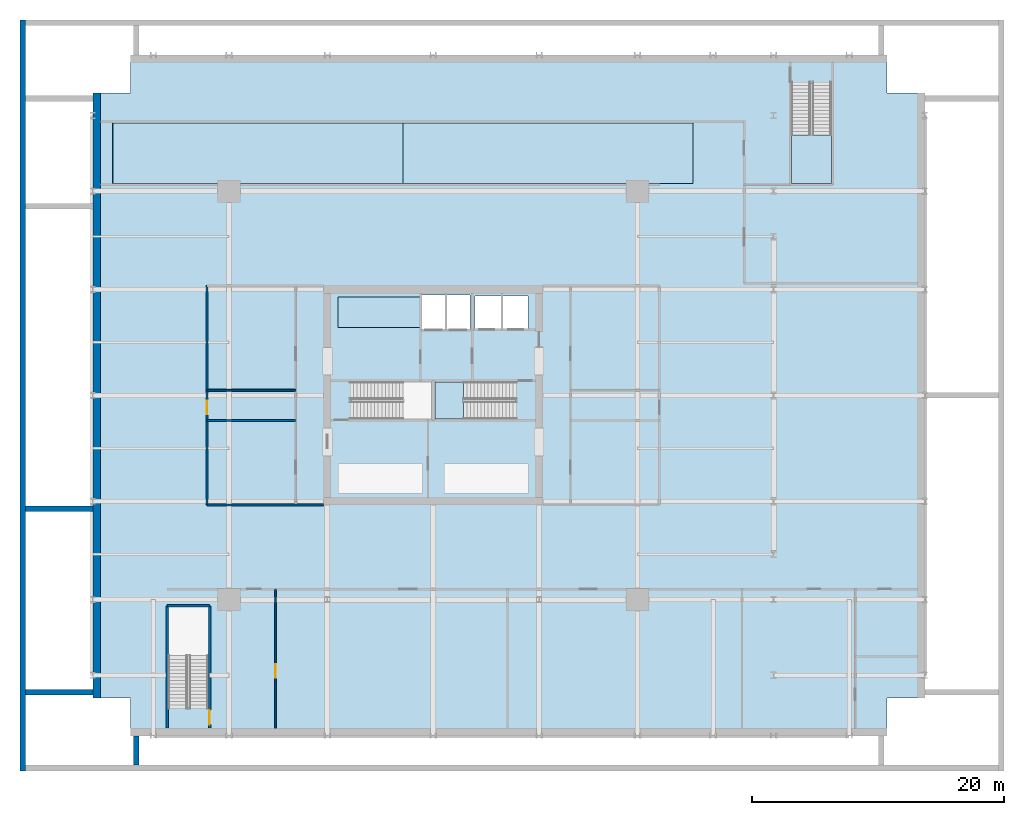
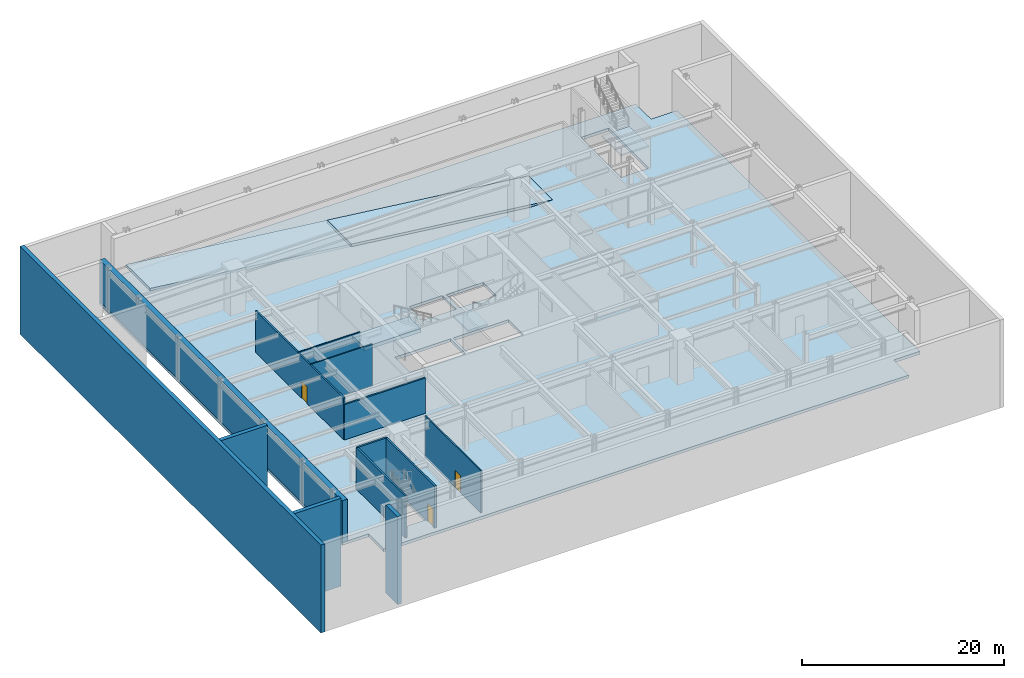
# One storey, part 2 of 9: 13 walls, 6 slabs, 3 doors, 3 openings, 2 elements without a shape of their own.
"""IFC4 building model written with IfcOpenShell, lengths in metres."""

from ifc_helpers import new_model, si_unit, direction, frame, frame_2d, origin, place, context, subcontext, project, spatial, polyline, rectangle, outline, extrude, material, layer, layer_set, type_object, element, fill, aggregate, save


model = new_model("IFC4")

# Units and contexts
model_context = context("Model", 3, precision=1e-05, world=origin(), true_north=direction((0.0, 1.0)))
body_context = subcontext(model_context, "Body", "Model", "MODEL_VIEW")
ifc_project = project(units=[si_unit("LENGTHUNIT", "METRE"), si_unit("AREAUNIT", "SQUARE_METRE"), si_unit("VOLUMEUNIT", "CUBIC_METRE"), si_unit("PLANEANGLEUNIT", "RADIAN"), si_unit("MASSUNIT", "GRAM", prefix="KILO")], contexts=[model_context])

# Site, building, storey
site_placement = place(None, origin())
site = spatial("IfcSite", under=ifc_project, at=site_placement, CompositionType="ELEMENT")
building_placement = place(site_placement, origin())
building = spatial("IfcBuilding", under=site, at=building_placement, Name="Drelvath Grand Hotel", CompositionType="ELEMENT")
storey_placement = place(building_placement, frame((0.0, 0.0, -5.39990234375)))
storey = spatial("IfcBuildingStorey", under=building, at=storey_placement, Name="B1", CompositionType="ELEMENT", Elevation=-5.39990234375)

# Slab
ifc_material_1 = material(Name="Concrete f'c 40 MPa", Category="concrete")
ifc_layer_1 = layer(ifc_material_1, 0.35009765625)
ifc_layer_set_1 = layer_set([ifc_layer_1], Name="Concrete f'c 40 MPa")
slab_type_1 = type_object("IfcSlabType", Name="Composite RC Floor Slab 350", PredefinedType="FLOOR", material=ifc_layer_set_1)
slab_1_placement = place(storey_placement, frame((0.0, 0.0, -0.35009765625)))
element("IfcSlab", 1, at=slab_1_placement, inside=storey, type_object=slab_type_1, Name="B1 Structural Floor Slab", PredefinedType="FLOOR", context=body_context, shape_type="SweptSolid", body=[
    extrude(outline(polyline([(-24.0, 0.0), (36.0, 0.0), (36.0, 3.0), (39.0, 3.0), (39.0, 51.0), (36.0, 51.0), (36.0, 54.0), (-24.0, 54.0), (-24.0, 51.0), (-27.0, 51.0), (-27.0, 3.0), (-24.0, 3.0), (-24.0, 0.0)]), holes=[polyline([(-6.47998046875, 25.1201171875), (-6.47998046875, 28.080078125), (-0.14990234375, 28.080078125), (-0.14990234375, 25.1201171875), (-6.47998046875, 25.1201171875)]), polyline([(0.14990234375, 25.1201171875), (0.14990234375, 28.080078125), (6.47998046875, 28.080078125), (6.47998046875, 25.1201171875), (0.14990234375, 25.1201171875)]), polyline([(-21.0, 2.27001953125), (-21.0, 10.199951171875), (-17.840087890625, 10.199951171875), (-17.840087890625, 2.27001953125), (-21.0, 2.27001953125)]), polyline([(28.419921875, 43.800048828125), (28.419921875, 51.72998046875), (31.580078125, 51.72998046875), (31.580078125, 43.800048828125), (28.419921875, 43.800048828125)]), polyline([(-0.89990234375, 32.25), (-0.89990234375, 34.949951171875), (2.89990234375, 34.949951171875), (2.89990234375, 32.25), (-0.89990234375, 32.25)]), polyline([(3.300048828125, 32.300048828125), (3.300048828125, 34.89990234375), (7.5, 34.89990234375), (7.5, 32.300048828125), (3.300048828125, 32.300048828125)]), polyline([(17.949951171875, 43.800048828125), (17.949951171875, 48.60009765625), (20.60009765625, 48.60009765625), (20.60009765625, 43.800048828125), (17.949951171875, 43.800048828125)])]), origin(), (0.0, 0.0, 1.0), 0.35009765625),
])

# Stair, slab
ifc_material_2 = material(Name="Concrete C40/50", Category="concrete")
stair_type_1 = type_object("IfcStairType", Name="Dogleg Exit Stair W1400-R168.8", PredefinedType="HALF_TURN_STAIR", material=ifc_material_2)
stair_1_placement = place(storey_placement, origin())
stair_1 = element("IfcStair", 2, at=stair_1_placement, inside=storey, type_object=stair_type_1, Name="B1 Core Exit Stair ST-2", PredefinedType="HALF_TURN_STAIR")
ifc_layer_2 = layer(ifc_material_2, 0.199951171875)
ifc_layer_set_2 = layer_set([ifc_layer_2], Name="Concrete C40/50")
slab_type_2 = type_object("IfcSlabType", Name="Concrete Stair Landing Slab 200", PredefinedType="LANDING", material=ifc_layer_set_2)
slab_2_placement = place(storey_placement, frame((0.0, 0.0, 2.5)))
slab_2 = element("IfcSlab", 3, at=slab_2_placement, type_object=slab_type_2, Name="ST-2 landing 1", PredefinedType="LANDING", context=body_context, shape_type="SweptSolid", body=[
    extrude(outline(polyline([(2.39990234375, 28.080078125), (0.14990234375, 28.080078125), (0.14990234375, 25.1201171875), (2.39990234375, 25.1201171875), (2.39990234375, 28.080078125)])), origin(), (0.0, 0.0, 1.0), 0.199951171875),
])
aggregate(stair_1, [slab_2])

stair_type_2 = type_object("IfcStairType", Name="Dogleg Exit Stair W1500-R168.8", PredefinedType="HALF_TURN_STAIR", material=ifc_material_2)
stair_2_placement = place(storey_placement, origin())
stair_2 = element("IfcStair", 4, at=stair_2_placement, inside=storey, type_object=stair_type_2, Name="B1 Podium Exit Stair ST-4", PredefinedType="HALF_TURN_STAIR")
slab_3_placement = place(storey_placement, frame((0.0, 0.0, 2.5)))
slab_3 = element("IfcSlab", 5, at=slab_3_placement, type_object=slab_type_2, Name="ST-4 landing 1", PredefinedType="LANDING", context=body_context, shape_type="SweptSolid", body=[
    extrude(outline(polyline([(28.419921875, 47.64990234375), (28.419921875, 43.800048828125), (31.580078125, 43.800048828125), (31.580078125, 47.64990234375), (28.419921875, 47.64990234375)])), origin(), (0.0, 0.0, 1.0), 0.199951171875),
])
aggregate(stair_2, [slab_3])

# Slabs
ifc_material_3 = material(Name="Concrete f'c 70 MPa", Category="concrete")
ifc_layer_3 = layer(ifc_material_3, 0.449951171875)
ifc_layer_set_3 = layer_set([ifc_layer_3], Name="Concrete f'c 70 MPa")
slab_type_3 = type_object("IfcSlabType", Name="Lift Pit Base Slab 450", PredefinedType="BASESLAB", material=ifc_layer_set_3)
slab_4_placement = place(storey_placement, frame((0.0, 0.0, -1.5)))
element("IfcSlab", 6, at=slab_4_placement, inside=storey, type_object=slab_type_3, Name="Elevator Pit Slab PIT-B1-PE79", PredefinedType="BASESLAB", context=body_context, shape_type="SweptSolid", body=[
    extrude(outline(polyline([(-7.550048828125, 32.39990234375), (-1.050048828125, 32.39990234375), (-1.050048828125, 34.800048828125), (-7.550048828125, 34.800048828125), (-7.550048828125, 32.39990234375)])), origin(), (0.0, 0.0, 1.0), 0.449951171875),
])
ifc_layer_4 = layer(ifc_material_1, 0.300048828125)
ifc_layer_set_4 = layer_set([ifc_layer_4], Name="Concrete f'c 40 MPa")
slab_type_4 = type_object("IfcSlabType", Name="Service Vehicle Ramp Structural Slab 300", PredefinedType="FLOOR", material=ifc_layer_set_4)
for number, where, z_axis, x_axis, name in (
    (7, (-25.39990234375, 43.800048828125, 5.39990234375), (0.116588621501, 0.0, 0.993180292463), (0.993180292463, 0.0, -0.116588621501), "Service Vehicle Ramp R1 Structural Slab RF-1"),
    (8, (-2.39990234375, 43.800048828125, 2.699951171875), (0.116588621501, 0.0, 0.993180292463), (0.993180292463, 0.0, -0.116588621501), "Service Vehicle Ramp R1 Structural Slab RF-2"),
):
    element("IfcSlab", number, at=place(storey_placement, frame(where, z_axis=z_axis, x_axis=x_axis)), inside=storey, type_object=slab_type_4, Name=name, PredefinedType="FLOOR", context=body_context, shape_type="SweptSolid", body=[
        extrude(outline(polyline([(0.0, 0.0), (23.15793031189336, 0.0), (23.15793031189336, 4.800048828125), (0.0, 4.800048828125), (0.0, 0.0)])), origin(), (0.0, 0.0, -1.0), 0.300048828125),
    ])

# Walls
ifc_material_4 = material(Name="Concrete f'c 55 MPa", Category="concrete")
ifc_layer_5 = layer(ifc_material_4, 0.60009765625)
ifc_layer_set_5 = layer_set([ifc_layer_5], Name="Concrete f'c 55 MPa")
wall_type_1 = type_object("IfcWallType", Name="Basement Perimeter Retaining Wall 600", PredefinedType="USERDEFINED", material=ifc_layer_set_5)
wall_1_placement = place(storey_placement, frame((-26.699951171875, 3.0, 0.0), z_axis=(0.0, 0.0, 1.0), x_axis=(0.0, 1.0, 0.0)))
element("IfcWall", 9, at=wall_1_placement, inside=storey, type_object=wall_type_1, Name="B1 Perimeter Retaining Wall W", ObjectType="RETAININGWALL", PredefinedType="USERDEFINED", context=body_context, shape_type="SweptSolid", body=[
    extrude(rectangle(XDim=48.0, YDim=0.60009765625, at=frame_2d((24.0, 0.0))), origin(), (0.0, 0.0, 1.0), 5.0498046875),
])
wall_2_placement = place(storey_placement, frame((-32.550048828125, -2.77490234375, -5.400146484375), z_axis=(0.0, 0.0, 1.0), x_axis=(0.0, 1.0, 0.0)))
element("IfcWall", 10, at=wall_2_placement, inside=storey, type_object=wall_type_1, Name="Sidewalk Frost Retaining Wall CURB-W-OUT", ObjectType="RETAININGWALL", PredefinedType="USERDEFINED", context=body_context, shape_type="SweptSolid", body=[
    extrude(rectangle(XDim=59.5498046875, YDim=0.449951171875, at=frame_2d((29.77490234375, 0.0))), origin(), (0.0, 0.0, 1.0), 10.6201171875),
])
for number, where, z_axis, x_axis, name in (
    (11, (-32.324951171875, 3.449951171875, -5.400146484375), (0.0, 0.0, 1.0), (1.0, 0.0, 0.0), "Sidewalk Frost Retaining Wall CURB-W-Y0"),
    (12, (-32.324951171875, 18.0, -5.400146484375), (0.0, 0.0, 1.0), (1.0, 0.0, 0.0), "Sidewalk Frost Retaining Wall CURB-W-Y18"),
):
    element("IfcWall", number, at=place(storey_placement, frame(where, z_axis=z_axis, x_axis=x_axis)), inside=storey, type_object=wall_type_1, Name=name, ObjectType="RETAININGWALL", PredefinedType="USERDEFINED", context=body_context, shape_type="SweptSolid", body=[
        extrude(rectangle(XDim=5.324951171875, YDim=0.449951171875, at=frame_2d((2.66259765625, 0.0))), origin(), (0.0, 0.0, 1.0), 10.6201171875),
    ])
wall_3_placement = place(storey_placement, frame((-23.550048828125, -2.324951171875, -5.400146484375), z_axis=(0.0, 0.0, 1.0), x_axis=(0.0, 1.0, 0.0)))
element("IfcWall", 13, at=wall_3_placement, inside=storey, type_object=wall_type_1, Name="Sidewalk Frost Retaining Wall CURB-S-X1", ObjectType="RETAININGWALL", PredefinedType="USERDEFINED", context=body_context, shape_type="SweptSolid", body=[
    extrude(rectangle(XDim=2.324951171875, YDim=0.449951171875, at=frame_2d((1.16259765625, 0.0))), origin(), (0.0, 0.0, 1.0), 10.6201171875),
])
ifc_layer_6 = layer(ifc_material_2, 0.199951171875)
ifc_layer_set_6 = layer_set([ifc_layer_6], Name="Concrete C40/50")
wall_type_2 = type_object("IfcWallType", Name="Core Shaft Fire Wall 200", PredefinedType="SOLIDWALL", material=ifc_layer_set_6)
wall_4_placement = place(storey_placement, frame((-21.10009765625, 0.60009765625, 0.0), z_axis=(0.0, 0.0, 1.0), x_axis=(0.0, 1.0, 0.0)))
element("IfcWall", 14, at=wall_4_placement, inside=storey, type_object=wall_type_2, Name="B1 Stair ST-3 West Wall", PredefinedType="SOLIDWALL", context=body_context, shape_type="SweptSolid", body=[
    extrude(rectangle(XDim=9.699951171875, YDim=0.199951171875, at=frame_2d((4.85009765625, 0.0))), origin(), (0.0, 0.0, 1.0), 5.0498046875),
])

# Wall, opening, door
wall_5_placement = place(storey_placement, frame((-17.739990234375, 10.300048828125, 0.0), z_axis=(0.0, 0.0, 1.0), x_axis=(0.0, -1.0, 0.0)))
wall_5 = element("IfcWall", 15, at=wall_5_placement, inside=storey, type_object=wall_type_2, Name="B1 Stair ST-3 East Wall", PredefinedType="SOLIDWALL", context=body_context, shape_type="SweptSolid", body=[
    extrude(rectangle(XDim=9.699951171875, YDim=0.199951171875, at=frame_2d((4.85009765625, 0.0))), origin(), (0.0, 0.0, 1.0), 5.0498046875),
])
opening_1_placement = place(wall_5_placement, frame((8.27001953125, 0.0, 0.0)))
opening_1 = element("IfcOpeningElement", 16, at=opening_1_placement, cuts=wall_5, Name="Opening D-B1-012", PredefinedType="OPENING", context=body_context, shape_type="SweptSolid", body=[
    extrude(rectangle(XDim=1.14990234375, YDim=2.14990234375, at=frame_2d((0.574951171875, 1.074951171875))), frame((0.0, 0.10986328125, 0.0), z_axis=(0.0, -1.0, 0.0), x_axis=(1.0, 0.0, 0.0)), (0.0, 0.0, 1.0), 0.219970703125),
])
ifc_material_5 = material(Name="Painted Steel S275", Category="steel")
door_type_1 = type_object("IfcDoorType", Name="Podium Stairwell Fire Door 1150x2150", OperationType="NOTDEFINED", PredefinedType="DOOR", material=ifc_material_5)
door_1_placement = place(opening_1_placement, origin())
door_1 = element("IfcDoor", 17, at=door_1_placement, inside=storey, type_object=door_type_1, Name="B1 Exit Stair ST-3 Entry Door", OperationType="SINGLE_SWING_RIGHT", OverallHeight=2.14990234375, OverallWidth=1.14990234375, PredefinedType="DOOR", context=body_context, shape_type="SweptSolid", body=[
    extrude(rectangle(XDim=1.14990234375, YDim=2.14990234375, at=frame_2d((0.574951171875, 1.074951171875))), frame((0.0, 0.02490234375, 0.0), z_axis=(0.0, -1.0, 0.0), x_axis=(1.0, 0.0, 0.0)), (0.0, 0.0, 1.0), 0.050048828125),
])
fill(opening_1, door_1)

# Walls
wall_6_placement = place(storey_placement, frame((-17.739990234375, 10.300048828125, 0.0), z_axis=(0.0, 0.0, 1.0), x_axis=(-1.0, 0.0, 0.0)))
element("IfcWall", 18, at=wall_6_placement, inside=storey, type_object=wall_type_2, Name="B1 Stair ST-3 North Wall", PredefinedType="SOLIDWALL", context=body_context, shape_type="SweptSolid", body=[
    extrude(rectangle(XDim=3.360107421875, YDim=0.199951171875, at=frame_2d((1.68017578125, 0.0))), origin(), (0.0, 0.0, 1.0), 5.0498046875),
])
ifc_material_6 = material(Name="Gypsum Fireboard Partition")
ifc_layer_7 = layer(ifc_material_6, 0.135009765625)
ifc_layer_set_7 = layer_set([ifc_layer_7], Name="Gypsum Fireboard Partition")
wall_type_3 = type_object("IfcWallType", Name="Corridor Fire Barrier Wall 135", PredefinedType="PARTITIONING", material=ifc_layer_set_7)
for number, where, z_axis, x_axis, name in (
    (19, (-17.93994140625, 25.0, 0.0), (0.0, 0.0, 1.0), (1.0, 0.0, 0.0), "B1 B1 West Cross-Walk South"),
    (20, (-17.93994140625, 27.39990234375, 0.0), (0.0, 0.0, 1.0), (1.0, 0.0, 0.0), "B1 B1 West Cross-Walk North"),
):
    element("IfcWall", number, at=place(storey_placement, frame(where, z_axis=z_axis, x_axis=x_axis)), inside=storey, type_object=wall_type_3, Name=name, PredefinedType="PARTITIONING", context=body_context, shape_type="SweptSolid", body=[
        extrude(rectangle(XDim=7.0400390625, YDim=0.135009765625, at=frame_2d((3.52001953125, 0.0))), origin(), (0.0, 0.0, 1.0), 5.0498046875),
    ])

# Wall, opening, door
wall_7_placement = place(storey_placement, frame((-12.5, 0.60009765625, 0.0), z_axis=(0.0, 0.0, 1.0), x_axis=(0.0, 1.0, 0.0)))
wall_7 = element("IfcWall", 21, at=wall_7_placement, inside=storey, type_object=wall_type_3, Name="B1 B1 ST-3 Lobby Wall", PredefinedType="PARTITIONING", context=body_context, shape_type="SweptSolid", body=[
    extrude(rectangle(XDim=11.039794921875, YDim=0.135009765625, at=frame_2d((5.52001953125, 0.0))), origin(), (0.0, 0.0, 1.0), 5.0498046875),
])
opening_2_placement = place(wall_7_placement, frame((4.0, 0.0, 0.0)))
opening_2 = element("IfcOpeningElement", 22, at=opening_2_placement, cuts=wall_7, Name="Opening D-B1-026", PredefinedType="OPENING", context=body_context, shape_type="SweptSolid", body=[
    extrude(rectangle(XDim=1.080078125, YDim=2.0400390625, at=frame_2d((0.5400390625, 1.02001953125))), frame((0.0, 0.077392578125, 0.0), z_axis=(0.0, -1.0, 0.0), x_axis=(1.0, 0.0, 0.0)), (0.0, 0.0, 1.0), 0.155029296875),
])
door_type_2 = type_object("IfcDoorType", Name="Core Corridor Fire Door 1080x2100", OperationType="NOTDEFINED", PredefinedType="DOOR", material=ifc_material_5)
door_2_placement = place(opening_2_placement, origin())
door_2 = element("IfcDoor", 23, at=door_2_placement, inside=storey, type_object=door_type_2, Name="B1 Commissary Exit Door", OperationType="SINGLE_SWING_RIGHT", OverallHeight=2.0400390625, OverallWidth=1.080078125, PredefinedType="DOOR", context=body_context, shape_type="SweptSolid", body=[
    extrude(rectangle(XDim=1.080078125, YDim=2.0400390625, at=frame_2d((0.5400390625, 1.02001953125))), frame((0.0, 0.02490234375, 0.0), z_axis=(0.0, -1.0, 0.0), x_axis=(1.0, 0.0, 0.0)), (0.0, 0.0, 1.0), 0.050048828125),
])
fill(opening_2, door_2)

ifc_layer_8 = layer(ifc_material_6, 0.179931640625)
ifc_layer_set_8 = layer_set([ifc_layer_8], Name="Gypsum Fireboard Partition")
wall_type_4 = type_object("IfcWallType", Name="FSAE Smoke Lobby Fire Wall 180", PredefinedType="SOLIDWALL", material=ifc_layer_set_8)
wall_8_placement = place(storey_placement, frame((-17.93994140625, 18.300048828125, 0.0), z_axis=(0.0, 0.0, 1.0), x_axis=(0.0, 1.0, 0.0)))
wall_8 = element("IfcWall", 24, at=wall_8_placement, inside=storey, type_object=wall_type_4, Name="B1 B1 West Island Fire Wall", PredefinedType="SOLIDWALL", context=body_context, shape_type="SweptSolid", body=[
    extrude(rectangle(XDim=17.39990234375, YDim=0.179931640625, at=frame_2d((8.699951171875, 0.0))), origin(), (0.0, 0.0, 1.0), 5.0498046875),
])
opening_3_placement = place(wall_8_placement, frame((7.199951171875, 0.0, 0.0)))
opening_3 = element("IfcOpeningElement", 25, at=opening_3_placement, cuts=wall_8, Name="Opening D-B1-014", PredefinedType="OPENING", context=body_context, shape_type="SweptSolid", body=[
    extrude(rectangle(XDim=1.080078125, YDim=2.0400390625, at=frame_2d((0.5400390625, 1.02001953125))), frame((0.0, 0.099853515625, 0.0), z_axis=(0.0, -1.0, 0.0), x_axis=(1.0, 0.0, 0.0)), (0.0, 0.0, 1.0), 0.199951171875),
])
door_3_placement = place(opening_3_placement, origin())
door_3 = element("IfcDoor", 26, at=door_3_placement, inside=storey, type_object=door_type_2, Name="B1 West Loop Pedestrian Door", OperationType="SINGLE_SWING_RIGHT", OverallHeight=2.0400390625, OverallWidth=1.080078125, PredefinedType="DOOR", context=body_context, shape_type="SweptSolid", body=[
    extrude(rectangle(XDim=1.080078125, YDim=2.0400390625, at=frame_2d((0.5400390625, 1.02001953125))), frame((0.0, 0.02490234375, 0.0), z_axis=(0.0, -1.0, 0.0), x_axis=(1.0, 0.0, 0.0)), (0.0, 0.0, 1.0), 0.050048828125),
])
fill(opening_3, door_3)

# Wall
wall_9_placement = place(storey_placement, frame((-17.93994140625, 18.300048828125, 0.0), z_axis=(0.0, 0.0, 1.0), x_axis=(1.0, 0.0, 0.0)))
element("IfcWall", 27, at=wall_9_placement, inside=storey, type_object=wall_type_4, Name="B1 B1 South-West Island Fire Wall", PredefinedType="SOLIDWALL", context=body_context, shape_type="SweptSolid", body=[
    extrude(rectangle(XDim=9.239990234375, YDim=0.179931640625, at=frame_2d((4.6201171875, 0.0))), origin(), (0.0, 0.0, 1.0), 4.26171875),
])

save(model, "model.ifc")
